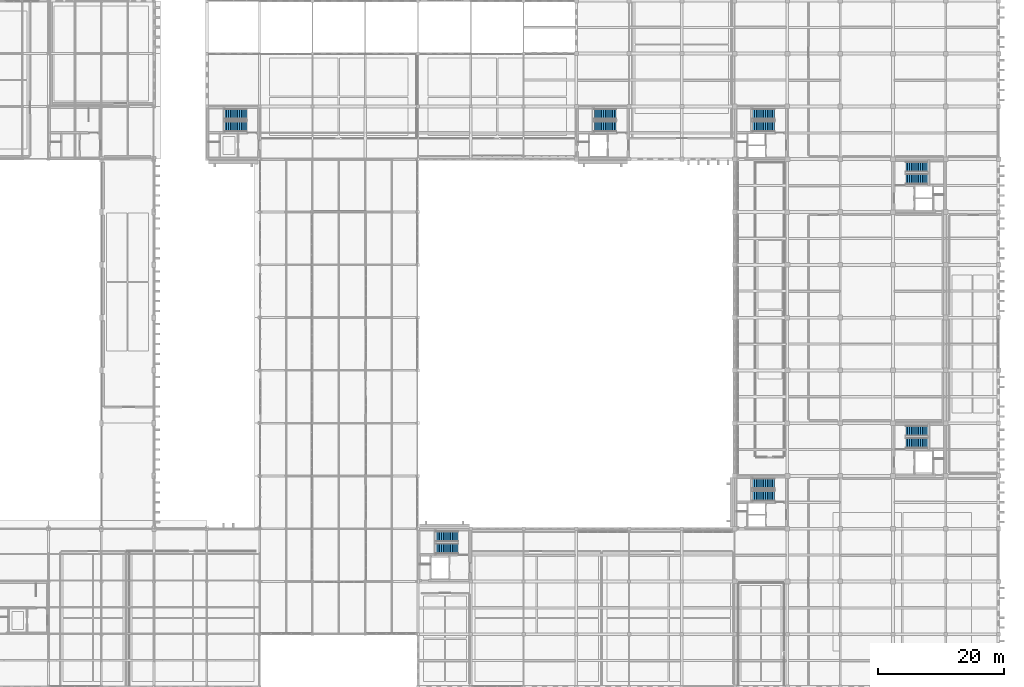
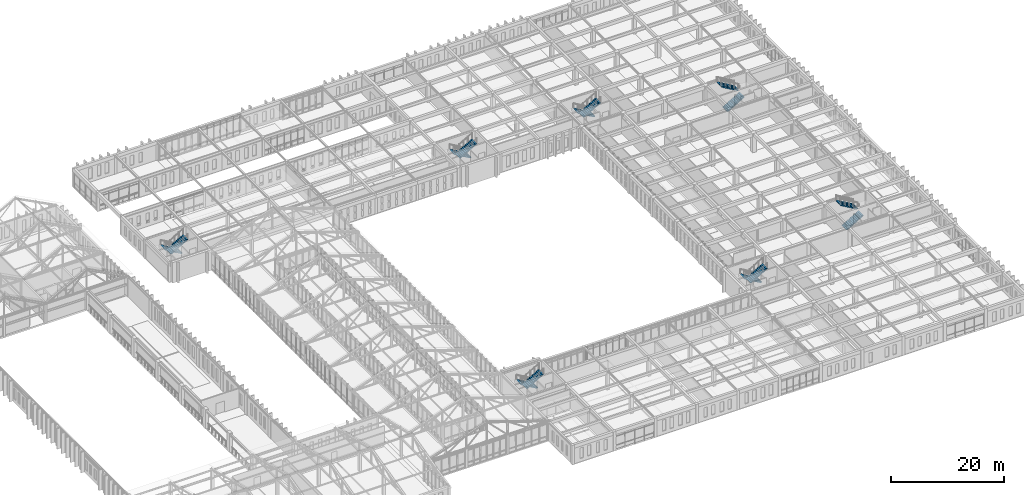
# One storey, part 181 of 192: 14 stair flights, 7 elements without a shape of their own.
"""IFC4 building model written with IfcOpenShell, lengths in metres."""

import ifcopenshell
import ifcopenshell.guid

model = None  # the IFC model being written
_history = None  # IfcOwnerHistory: only IFC2X3 demands one
_inside = {}  # id of a spatial element -> (the spatial element, [elements in it])
_under = {}  # id of a project, library or spatial element -> (it, [spatial elements below it])
_declared = {}  # id of a project -> (the project, [libraries it declares])
_typed = {}  # id of a type object -> (the type object, [elements of that type])
_made_of = {}  # id of a material, layer set ... -> (it, [elements and type objects made of it])


def new_model(schema):
    """Start an empty IFC model of exactly this schema.

    Asked for "IFC4X3", IfcOpenShell would pick the latest addendum, in which some entities
    have other attributes; the version numbers below select the first issue.
    IFC2X3 requires an IfcOwnerHistory on every rooted entity: one is made here for all.
    """
    global model, _history
    if schema == "IFC4X3":
        model = ifcopenshell.file(schema_version=(4, 3, 0, 0))
    else:
        model = ifcopenshell.file(schema=schema)
    _inside.clear()
    _under.clear()
    _declared.clear()
    _typed.clear()
    _made_of.clear()
    _history = None
    if model.schema == "IFC2X3":
        org = make("IfcOrganization", Name="unknown")
        user = make(
            "IfcPersonAndOrganization",
            ThePerson=make("IfcPerson", FamilyName="unknown"),
            TheOrganization=org,
        )
        app = make(
            "IfcApplication",
            ApplicationDeveloper=org,
            Version="unknown",
            ApplicationFullName="unknown",
            ApplicationIdentifier="unknown",
        )
        _history = make(
            "IfcOwnerHistory",
            OwningUser=user,
            OwningApplication=app,
            ChangeAction="ADDED",
            CreationDate=0,
        )
    return model


def make(cls, **values):
    """One entity of the class cls with the attributes given. An attribute that is None is left unset."""
    return model.create_entity(
        cls, **{name: value for name, value in values.items() if value is not None}
    )


def rooted(cls, **values):
    """An entity with a GlobalId (a new one), such as an element, a storey or a relation."""
    return make(cls, GlobalId=ifcopenshell.guid.new(), OwnerHistory=_history, **values)


def si_unit(unit_type, name, prefix=None):
    """IfcSIUnit, for example si_unit("LENGTHUNIT", "METRE", prefix="MILLI")."""
    return make("IfcSIUnit", UnitType=unit_type, Prefix=prefix, Name=name)


def assignment(units):
    """IfcUnitAssignment: the units of a project."""
    return None if units is None else make("IfcUnitAssignment", Units=units)


def point(xyz):
    """IfcCartesianPoint."""
    return None if xyz is None else make("IfcCartesianPoint", Coordinates=xyz)


def direction(xyz):
    """IfcDirection."""
    return None if xyz is None else make("IfcDirection", DirectionRatios=xyz)


def frame(location, z_axis=None, x_axis=None):
    """IfcAxis2Placement3D, a coordinate frame: its origin and axes. An axis left out is left unset."""
    return make(
        "IfcAxis2Placement3D",
        Location=point(location),
        Axis=direction(z_axis),
        RefDirection=direction(x_axis),
    )


def origin():
    """The frame at (0, 0, 0) with its axes left unset."""
    return frame((0.0, 0.0, 0.0))


def place(relative_to, where):
    """IfcLocalPlacement: puts the frame where relative to a parent placement (None: the world)."""
    return make(
        "IfcLocalPlacement", PlacementRelTo=relative_to, RelativePlacement=where
    )


def context(
    kind, dimensions, precision=None, world=None, true_north=None, identifier=None
):
    """IfcGeometricRepresentationContext, for example the 3D "Model" context."""
    return make(
        "IfcGeometricRepresentationContext",
        ContextIdentifier=identifier,
        ContextType=kind,
        CoordinateSpaceDimension=dimensions,
        Precision=precision,
        WorldCoordinateSystem=world,
        TrueNorth=true_north,
    )


def subcontext(parent, identifier, kind, view, scale=None):
    """IfcGeometricRepresentationSubContext, for example "Body" below "Model"."""
    return make(
        "IfcGeometricRepresentationSubContext",
        ContextIdentifier=identifier,
        ContextType=kind,
        ParentContext=parent,
        TargetScale=scale,
        TargetView=view,
    )


def project(units=None, contexts=None):
    """IfcProject with its units and contexts."""
    return rooted(
        "IfcProject",
        Name="project",
        RepresentationContexts=contexts,
        UnitsInContext=assignment(units),
    )


def spatial(cls, under=None, at=None, **own):
    """A site, building, storey or space (cls), placed at a placement, below another one or the project."""
    s = rooted(cls, ObjectPlacement=at, **own)
    if under is not None:
        _under.setdefault(under.id(), (under, []))[1].append(s)
    return s


def polyline(points):
    """IfcPolyline through the points."""
    return make("IfcPolyline", Points=[point(p) for p in points])


def outline(outer, holes=None, kind="AREA"):
    """IfcArbitraryClosedProfileDef: a profile drawn as a closed curve; with holes, ...WithVoids."""
    if holes is None:
        return make("IfcArbitraryClosedProfileDef", ProfileType=kind, OuterCurve=outer)
    return make(
        "IfcArbitraryProfileDefWithVoids",
        ProfileType=kind,
        OuterCurve=outer,
        InnerCurves=holes,
    )


def extrude(swept, where, along, depth):
    """IfcExtrudedAreaSolid: the profile swept, set in the frame where, extruded along a direction by depth."""
    return make(
        "IfcExtrudedAreaSolid",
        SweptArea=swept,
        Position=where,
        ExtrudedDirection=direction(along),
        Depth=depth,
    )


def shape(context_of_items, identifier, shape_type, items):
    """IfcShapeRepresentation: the items that make up one representation, for example the "Body"."""
    return make(
        "IfcShapeRepresentation",
        ContextOfItems=context_of_items,
        RepresentationIdentifier=identifier,
        RepresentationType=shape_type,
        Items=items,
    )


def material(Name=None, Category=None):
    """IfcMaterial."""
    return make("IfcMaterial", Name=Name, Category=Category)


def made_of(thing, what):
    """Note that an element or type object is made of a material, layer set ...; save() writes the relation."""
    if what is not None:
        _made_of.setdefault(what.id(), (what, []))[1].append(thing)
    return thing


def type_object(cls, material=None, **own):
    """A type object (cls), such as IfcWallType, which elements share."""
    return made_of(rooted(cls, **own), material)


def element(
    cls,
    number,
    at=None,
    inside=None,
    cuts=None,
    type_object=None,
    material=None,
    context=None,
    identifier="Body",
    shape_type=None,
    held_by="IfcProductDefinitionShape",
    body=None,
    shapes=None,
    **own,
):
    """One element of the class cls, such as IfcWall. Its Tag is "e" and its number.

    at: its placement. inside: the storey or other place that contains it. cuts: it is an
    opening in that element (IfcRelVoidsElement). A single representation is given by context,
    identifier, shape_type and body (its items); several are given by shapes. held_by: the class
    of the entity that holds the representations. save() writes the other relations.
    """
    e = rooted(cls, Tag="e%d" % number, ObjectPlacement=at, **own)
    if body is not None:
        shapes = [shape(context, identifier, shape_type, body)]
    if shapes is not None:
        e.Representation = make(held_by, Representations=shapes)
    if inside is not None:
        _inside.setdefault(inside.id(), (inside, []))[1].append(e)
    if cuts is not None:
        rooted(
            "IfcRelVoidsElement", RelatingBuildingElement=cuts, RelatedOpeningElement=e
        )
    if type_object is not None:
        _typed.setdefault(type_object.id(), (type_object, []))[1].append(e)
    return made_of(e, material)


def aggregate(whole, parts):
    """IfcRelAggregates: a whole, such as a stair, and the parts it consists of."""
    return rooted("IfcRelAggregates", RelatingObject=whole, RelatedObjects=parts)


def save(model, path):
    """Write the relations noted so far, then the file.

    IfcRelAggregates (storeys below a building ...), IfcRelContainedInSpatialStructure (elements
    in a storey), IfcRelDefinesByType, IfcRelAssociatesMaterial and IfcRelDeclares: one each for
    every whole, place, type object, material and project.
    """
    for whole, parts in _under.values():
        aggregate(whole, parts)
    for where, things in _inside.values():
        rooted(
            "IfcRelContainedInSpatialStructure",
            RelatedElements=things,
            RelatingStructure=where,
        )
    for kind, things in _typed.values():
        rooted("IfcRelDefinesByType", RelatedObjects=things, RelatingType=kind)
    for what, things in _made_of.values():
        rooted("IfcRelAssociatesMaterial", RelatedObjects=things, RelatingMaterial=what)
    for by, libraries in _declared.values():
        rooted("IfcRelDeclares", RelatingContext=by, RelatedDefinitions=libraries)
    model.write(path)


model = new_model("IFC4")

# Units and contexts
model_context = context("Model", 3, precision=1e-05, world=origin(), true_north=direction((0.0, 1.0)))
body_context = subcontext(model_context, "Body", "Model", "MODEL_VIEW")
ifc_project = project(units=[si_unit("LENGTHUNIT", "METRE"), si_unit("AREAUNIT", "SQUARE_METRE"), si_unit("VOLUMEUNIT", "CUBIC_METRE"), si_unit("PLANEANGLEUNIT", "RADIAN"), si_unit("MASSUNIT", "GRAM", prefix="KILO")], contexts=[model_context])

# Site, building, storey
site_placement = place(None, origin())
site = spatial("IfcSite", under=ifc_project, at=site_placement, CompositionType="ELEMENT")
building_placement = place(site_placement, origin())
building = spatial("IfcBuilding", under=site, at=building_placement, Name="Kveldsbrygga Polytechnic", CompositionType="ELEMENT")
storey_placement = place(building_placement, frame((0.0, 0.0, 5.43994140625)))
storey = spatial("IfcBuildingStorey", under=building, at=storey_placement, Name="L01", CompositionType="ELEMENT", Elevation=5.43994140625)

# Stair, stair flights
ifc_material = material(Name="Concrete C35/45", Category="concrete")
stair_type = type_object("IfcStairType", Name="STR-CORE-442", PredefinedType="HALF_TURN_STAIR", material=ifc_material)
stair_1_placement = place(storey_placement, origin())
stair_1 = element("IfcStair", 1, at=stair_1_placement, inside=storey, type_object=stair_type, Name="L01 Core C1 Escape Stair ST-1", PredefinedType="HALF_TURN_STAIR")
stair_flight_type = type_object("IfcStairFlightType", Name="SFL-CORE-13R", PredefinedType="STRAIGHT", material=ifc_material)
stair_flight_1_placement = place(storey_placement, frame((132.35009765625, 32.375, 0.0), z_axis=(0.0, 0.0, 1.0), x_axis=(-1.0, 0.0, 0.0)))
stair_flight_1 = element("IfcStairFlight", 2, at=stair_flight_1_placement, type_object=stair_flight_type, Name="ST-1 flight 1", NumberOfRisers=13, NumberOfTreads=12, PredefinedType="STRAIGHT", RiserHeight=0.17, TreadLength=0.29, context=body_context, shape_type="SweptSolid", body=[
    extrude(outline(polyline([(0.0, 0.0), (0.0, 0.169921875), (0.2900390625, 0.169921875), (0.2900390625, 0.340087890625), (0.580078125, 0.340087890625), (0.580078125, 0.510009765625), (0.8701171875, 0.510009765625), (0.8701171875, 0.679931640625), (1.159912109375, 0.679931640625), (1.159912109375, 0.85009765625), (1.449951171875, 0.85009765625), (1.449951171875, 1.02001953125), (1.739990234375, 1.02001953125), (1.739990234375, 1.18994140625), (2.030029296875, 1.18994140625), (2.030029296875, 1.360107421875), (2.320068359375, 1.360107421875), (2.320068359375, 1.530029296875), (2.610107421875, 1.530029296875), (2.610107421875, 1.699951171875), (2.89990234375, 1.699951171875), (2.89990234375, 1.8701171875), (3.18994140625, 1.8701171875), (3.18994140625, 2.0400390625), (3.47998046875, 2.0400390625), (3.47998046875, 2.2099609375), (3.47998046875, 1.854736328125), (0.316162109375, 0.0), (0.0, 0.0)])), frame((0.0, 0.824951171875, 0.0), z_axis=(0.0, -1.0, 0.0), x_axis=(1.0, 0.0, 0.0)), (0.0, 0.0, 1.0), 1.64990234375),
])
stair_flight_2_placement = place(storey_placement, frame((128.8701171875, 30.425048828125, 2.2099609375), z_axis=(0.0, 0.0, 1.0), x_axis=(1.0, 0.0, 0.0)))
stair_flight_2 = element("IfcStairFlight", 3, at=stair_flight_2_placement, type_object=stair_flight_type, Name="ST-1 flight 2", NumberOfRisers=13, NumberOfTreads=12, PredefinedType="STRAIGHT", RiserHeight=0.17, TreadLength=0.29, context=body_context, shape_type="SweptSolid", body=[
    extrude(outline(polyline([(0.0, 0.0), (0.0, 0.169921875), (0.2900390625, 0.169921875), (0.2900390625, 0.340087890625), (0.580078125, 0.340087890625), (0.580078125, 0.510009765625), (0.8701171875, 0.510009765625), (0.8701171875, 0.679931640625), (1.159912109375, 0.679931640625), (1.159912109375, 0.85009765625), (1.449951171875, 0.85009765625), (1.449951171875, 1.02001953125), (1.739990234375, 1.02001953125), (1.739990234375, 1.18994140625), (2.030029296875, 1.18994140625), (2.030029296875, 1.360107421875), (2.320068359375, 1.360107421875), (2.320068359375, 1.530029296875), (2.610107421875, 1.530029296875), (2.610107421875, 1.699951171875), (2.89990234375, 1.699951171875), (2.89990234375, 1.8701171875), (3.18994140625, 1.8701171875), (3.18994140625, 2.0400390625), (3.47998046875, 2.0400390625), (3.47998046875, 2.2099609375), (3.47998046875, 1.854736328125), (0.316162109375, 0.0), (0.0, 0.0)])), frame((0.0, 0.824951171875, 0.0), z_axis=(0.0, -1.0, 0.0), x_axis=(1.0, 0.0, 0.0)), (0.0, 0.0, 1.0), 1.64990234375),
])
aggregate(stair_1, [stair_flight_1, stair_flight_2])

stair_2_placement = place(storey_placement, origin())
stair_2 = element("IfcStair", 4, at=stair_2_placement, inside=storey, type_object=stair_type, Name="L01 Core C2 Escape Stair ST-2", PredefinedType="HALF_TURN_STAIR")
stair_flight_3_placement = place(storey_placement, frame((132.35009765625, 91.175048828125, 0.0), z_axis=(0.0, 0.0, 1.0), x_axis=(-1.0, 0.0, 0.0)))
stair_flight_3 = element("IfcStairFlight", 5, at=stair_flight_3_placement, type_object=stair_flight_type, Name="ST-2 flight 1", NumberOfRisers=13, NumberOfTreads=12, PredefinedType="STRAIGHT", RiserHeight=0.17, TreadLength=0.29, context=body_context, shape_type="SweptSolid", body=[
    extrude(outline(polyline([(0.0, 0.0), (0.0, 0.169921875), (0.2900390625, 0.169921875), (0.2900390625, 0.340087890625), (0.580078125, 0.340087890625), (0.580078125, 0.510009765625), (0.8701171875, 0.510009765625), (0.8701171875, 0.679931640625), (1.159912109375, 0.679931640625), (1.159912109375, 0.85009765625), (1.449951171875, 0.85009765625), (1.449951171875, 1.02001953125), (1.739990234375, 1.02001953125), (1.739990234375, 1.18994140625), (2.030029296875, 1.18994140625), (2.030029296875, 1.360107421875), (2.320068359375, 1.360107421875), (2.320068359375, 1.530029296875), (2.610107421875, 1.530029296875), (2.610107421875, 1.699951171875), (2.89990234375, 1.699951171875), (2.89990234375, 1.8701171875), (3.18994140625, 1.8701171875), (3.18994140625, 2.0400390625), (3.47998046875, 2.0400390625), (3.47998046875, 2.2099609375), (3.47998046875, 1.854736328125), (0.316162109375, 0.0), (0.0, 0.0)])), frame((0.0, 0.824951171875, 0.0), z_axis=(0.0, -1.0, 0.0), x_axis=(1.0, 0.0, 0.0)), (0.0, 0.0, 1.0), 1.64990234375),
])
stair_flight_4_placement = place(storey_placement, frame((128.8701171875, 89.22509765625, 2.2099609375), z_axis=(0.0, 0.0, 1.0), x_axis=(1.0, 0.0, 0.0)))
stair_flight_4 = element("IfcStairFlight", 6, at=stair_flight_4_placement, type_object=stair_flight_type, Name="ST-2 flight 2", NumberOfRisers=13, NumberOfTreads=12, PredefinedType="STRAIGHT", RiserHeight=0.17, TreadLength=0.29, context=body_context, shape_type="SweptSolid", body=[
    extrude(outline(polyline([(0.0, 0.0), (0.0, 0.169921875), (0.2900390625, 0.169921875), (0.2900390625, 0.340087890625), (0.580078125, 0.340087890625), (0.580078125, 0.510009765625), (0.8701171875, 0.510009765625), (0.8701171875, 0.679931640625), (1.159912109375, 0.679931640625), (1.159912109375, 0.85009765625), (1.449951171875, 0.85009765625), (1.449951171875, 1.02001953125), (1.739990234375, 1.02001953125), (1.739990234375, 1.18994140625), (2.030029296875, 1.18994140625), (2.030029296875, 1.360107421875), (2.320068359375, 1.360107421875), (2.320068359375, 1.530029296875), (2.610107421875, 1.530029296875), (2.610107421875, 1.699951171875), (2.89990234375, 1.699951171875), (2.89990234375, 1.8701171875), (3.18994140625, 1.8701171875), (3.18994140625, 2.0400390625), (3.47998046875, 2.0400390625), (3.47998046875, 2.2099609375), (3.47998046875, 1.854736328125), (0.316162109375, 0.0), (0.0, 0.0)])), frame((0.0, 0.824951171875, 0.0), z_axis=(0.0, -1.0, 0.0), x_axis=(1.0, 0.0, 0.0)), (0.0, 0.0, 1.0), 1.64990234375),
])
aggregate(stair_2, [stair_flight_3, stair_flight_4])

stair_3_placement = place(storey_placement, origin())
stair_3 = element("IfcStair", 7, at=stair_3_placement, inside=storey, type_object=stair_type, Name="L01 Core C3 Escape Stair ST-3", PredefinedType="HALF_TURN_STAIR")
stair_flight_5_placement = place(storey_placement, frame((153.25, 38.824951171875, 0.0), z_axis=(0.0, 0.0, 1.0), x_axis=(1.0, 0.0, 0.0)))
stair_flight_5 = element("IfcStairFlight", 8, at=stair_flight_5_placement, type_object=stair_flight_type, Name="ST-3 flight 1", NumberOfRisers=13, NumberOfTreads=12, PredefinedType="STRAIGHT", RiserHeight=0.17, TreadLength=0.29, context=body_context, shape_type="SweptSolid", body=[
    extrude(outline(polyline([(0.0, 0.0), (0.0, 0.169921875), (0.2900390625, 0.169921875), (0.2900390625, 0.340087890625), (0.580078125, 0.340087890625), (0.580078125, 0.510009765625), (0.8701171875, 0.510009765625), (0.8701171875, 0.679931640625), (1.159912109375, 0.679931640625), (1.159912109375, 0.85009765625), (1.449951171875, 0.85009765625), (1.449951171875, 1.02001953125), (1.739990234375, 1.02001953125), (1.739990234375, 1.18994140625), (2.030029296875, 1.18994140625), (2.030029296875, 1.360107421875), (2.320068359375, 1.360107421875), (2.320068359375, 1.530029296875), (2.610107421875, 1.530029296875), (2.610107421875, 1.699951171875), (2.89990234375, 1.699951171875), (2.89990234375, 1.8701171875), (3.18994140625, 1.8701171875), (3.18994140625, 2.0400390625), (3.47998046875, 2.0400390625), (3.47998046875, 2.2099609375), (3.47998046875, 1.854736328125), (0.316162109375, 0.0), (0.0, 0.0)])), frame((0.0, 0.824951171875, 0.0), z_axis=(0.0, -1.0, 0.0), x_axis=(1.0, 0.0, 0.0)), (0.0, 0.0, 1.0), 1.64990234375),
])
stair_flight_6_placement = place(storey_placement, frame((156.72998046875, 40.77490234375, 2.2099609375), z_axis=(0.0, 0.0, 1.0), x_axis=(-1.0, 0.0, 0.0)))
stair_flight_6 = element("IfcStairFlight", 9, at=stair_flight_6_placement, type_object=stair_flight_type, Name="ST-3 flight 2", NumberOfRisers=13, NumberOfTreads=12, PredefinedType="STRAIGHT", RiserHeight=0.17, TreadLength=0.29, context=body_context, shape_type="SweptSolid", body=[
    extrude(outline(polyline([(0.0, 0.0), (0.0, 0.169921875), (0.2900390625, 0.169921875), (0.2900390625, 0.340087890625), (0.580078125, 0.340087890625), (0.580078125, 0.510009765625), (0.8701171875, 0.510009765625), (0.8701171875, 0.679931640625), (1.159912109375, 0.679931640625), (1.159912109375, 0.85009765625), (1.449951171875, 0.85009765625), (1.449951171875, 1.02001953125), (1.739990234375, 1.02001953125), (1.739990234375, 1.18994140625), (2.030029296875, 1.18994140625), (2.030029296875, 1.360107421875), (2.320068359375, 1.360107421875), (2.320068359375, 1.530029296875), (2.610107421875, 1.530029296875), (2.610107421875, 1.699951171875), (2.89990234375, 1.699951171875), (2.89990234375, 1.8701171875), (3.18994140625, 1.8701171875), (3.18994140625, 2.0400390625), (3.47998046875, 2.0400390625), (3.47998046875, 2.2099609375), (3.47998046875, 1.854736328125), (0.316162109375, 0.0), (0.0, 0.0)])), frame((0.0, 0.824951171875, 0.0), z_axis=(0.0, -1.0, 0.0), x_axis=(1.0, 0.0, 0.0)), (0.0, 0.0, 1.0), 1.64990234375),
])
aggregate(stair_3, [stair_flight_5, stair_flight_6])

stair_4_placement = place(storey_placement, origin())
stair_4 = element("IfcStair", 10, at=stair_4_placement, inside=storey, type_object=stair_type, Name="L01 Core C4 Escape Stair ST-4", PredefinedType="HALF_TURN_STAIR")
stair_flight_7_placement = place(storey_placement, frame((153.25, 80.824951171875, 0.0), z_axis=(0.0, 0.0, 1.0), x_axis=(1.0, 0.0, 0.0)))
stair_flight_7 = element("IfcStairFlight", 11, at=stair_flight_7_placement, type_object=stair_flight_type, Name="ST-4 flight 1", NumberOfRisers=13, NumberOfTreads=12, PredefinedType="STRAIGHT", RiserHeight=0.17, TreadLength=0.29, context=body_context, shape_type="SweptSolid", body=[
    extrude(outline(polyline([(0.0, 0.0), (0.0, 0.169921875), (0.2900390625, 0.169921875), (0.2900390625, 0.340087890625), (0.580078125, 0.340087890625), (0.580078125, 0.510009765625), (0.8701171875, 0.510009765625), (0.8701171875, 0.679931640625), (1.159912109375, 0.679931640625), (1.159912109375, 0.85009765625), (1.449951171875, 0.85009765625), (1.449951171875, 1.02001953125), (1.739990234375, 1.02001953125), (1.739990234375, 1.18994140625), (2.030029296875, 1.18994140625), (2.030029296875, 1.360107421875), (2.320068359375, 1.360107421875), (2.320068359375, 1.530029296875), (2.610107421875, 1.530029296875), (2.610107421875, 1.699951171875), (2.89990234375, 1.699951171875), (2.89990234375, 1.8701171875), (3.18994140625, 1.8701171875), (3.18994140625, 2.0400390625), (3.47998046875, 2.0400390625), (3.47998046875, 2.2099609375), (3.47998046875, 1.854736328125), (0.316162109375, 0.0), (0.0, 0.0)])), frame((0.0, 0.824951171875, 0.0), z_axis=(0.0, -1.0, 0.0), x_axis=(1.0, 0.0, 0.0)), (0.0, 0.0, 1.0), 1.64990234375),
])
stair_flight_8_placement = place(storey_placement, frame((156.72998046875, 82.77490234375, 2.2099609375), z_axis=(0.0, 0.0, 1.0), x_axis=(-1.0, 0.0, 0.0)))
stair_flight_8 = element("IfcStairFlight", 12, at=stair_flight_8_placement, type_object=stair_flight_type, Name="ST-4 flight 2", NumberOfRisers=13, NumberOfTreads=12, PredefinedType="STRAIGHT", RiserHeight=0.17, TreadLength=0.29, context=body_context, shape_type="SweptSolid", body=[
    extrude(outline(polyline([(0.0, 0.0), (0.0, 0.169921875), (0.2900390625, 0.169921875), (0.2900390625, 0.340087890625), (0.580078125, 0.340087890625), (0.580078125, 0.510009765625), (0.8701171875, 0.510009765625), (0.8701171875, 0.679931640625), (1.159912109375, 0.679931640625), (1.159912109375, 0.85009765625), (1.449951171875, 0.85009765625), (1.449951171875, 1.02001953125), (1.739990234375, 1.02001953125), (1.739990234375, 1.18994140625), (2.030029296875, 1.18994140625), (2.030029296875, 1.360107421875), (2.320068359375, 1.360107421875), (2.320068359375, 1.530029296875), (2.610107421875, 1.530029296875), (2.610107421875, 1.699951171875), (2.89990234375, 1.699951171875), (2.89990234375, 1.8701171875), (3.18994140625, 1.8701171875), (3.18994140625, 2.0400390625), (3.47998046875, 2.0400390625), (3.47998046875, 2.2099609375), (3.47998046875, 1.854736328125), (0.316162109375, 0.0), (0.0, 0.0)])), frame((0.0, 0.824951171875, 0.0), z_axis=(0.0, -1.0, 0.0), x_axis=(1.0, 0.0, 0.0)), (0.0, 0.0, 1.0), 1.64990234375),
])
aggregate(stair_4, [stair_flight_7, stair_flight_8])

stair_5_placement = place(storey_placement, origin())
stair_5 = element("IfcStair", 13, at=stair_5_placement, inside=storey, type_object=stair_type, Name="L01 Core C5 Escape Stair ST-5", PredefinedType="HALF_TURN_STAIR")
stair_flight_9_placement = place(storey_placement, frame((107.14990234375, 91.175048828125, 0.0), z_axis=(0.0, 0.0, 1.0), x_axis=(-1.0, 0.0, 0.0)))
stair_flight_9 = element("IfcStairFlight", 14, at=stair_flight_9_placement, type_object=stair_flight_type, Name="ST-5 flight 1", NumberOfRisers=13, NumberOfTreads=12, PredefinedType="STRAIGHT", RiserHeight=0.17, TreadLength=0.29, context=body_context, shape_type="SweptSolid", body=[
    extrude(outline(polyline([(0.0, 0.0), (0.0, 0.169921875), (0.2900390625, 0.169921875), (0.2900390625, 0.340087890625), (0.580078125, 0.340087890625), (0.580078125, 0.510009765625), (0.8701171875, 0.510009765625), (0.8701171875, 0.679931640625), (1.159912109375, 0.679931640625), (1.159912109375, 0.85009765625), (1.449951171875, 0.85009765625), (1.449951171875, 1.02001953125), (1.739990234375, 1.02001953125), (1.739990234375, 1.18994140625), (2.030029296875, 1.18994140625), (2.030029296875, 1.360107421875), (2.320068359375, 1.360107421875), (2.320068359375, 1.530029296875), (2.610107421875, 1.530029296875), (2.610107421875, 1.699951171875), (2.89990234375, 1.699951171875), (2.89990234375, 1.8701171875), (3.18994140625, 1.8701171875), (3.18994140625, 2.0400390625), (3.47998046875, 2.0400390625), (3.47998046875, 2.2099609375), (3.47998046875, 1.854736328125), (0.316162109375, 0.0), (0.0, 0.0)])), frame((0.0, 0.824951171875, 0.0), z_axis=(0.0, -1.0, 0.0), x_axis=(1.0, 0.0, 0.0)), (0.0, 0.0, 1.0), 1.64990234375),
])
stair_flight_10_placement = place(storey_placement, frame((103.669921875, 89.22509765625, 2.2099609375), z_axis=(0.0, 0.0, 1.0), x_axis=(1.0, 0.0, 0.0)))
stair_flight_10 = element("IfcStairFlight", 15, at=stair_flight_10_placement, type_object=stair_flight_type, Name="ST-5 flight 2", NumberOfRisers=13, NumberOfTreads=12, PredefinedType="STRAIGHT", RiserHeight=0.17, TreadLength=0.29, context=body_context, shape_type="SweptSolid", body=[
    extrude(outline(polyline([(0.0, 0.0), (0.0, 0.169921875), (0.2900390625, 0.169921875), (0.2900390625, 0.340087890625), (0.580078125, 0.340087890625), (0.580078125, 0.510009765625), (0.8701171875, 0.510009765625), (0.8701171875, 0.679931640625), (1.159912109375, 0.679931640625), (1.159912109375, 0.85009765625), (1.449951171875, 0.85009765625), (1.449951171875, 1.02001953125), (1.739990234375, 1.02001953125), (1.739990234375, 1.18994140625), (2.030029296875, 1.18994140625), (2.030029296875, 1.360107421875), (2.320068359375, 1.360107421875), (2.320068359375, 1.530029296875), (2.610107421875, 1.530029296875), (2.610107421875, 1.699951171875), (2.89990234375, 1.699951171875), (2.89990234375, 1.8701171875), (3.18994140625, 1.8701171875), (3.18994140625, 2.0400390625), (3.47998046875, 2.0400390625), (3.47998046875, 2.2099609375), (3.47998046875, 1.854736328125), (0.316162109375, 0.0), (0.0, 0.0)])), frame((0.0, 0.824951171875, 0.0), z_axis=(0.0, -1.0, 0.0), x_axis=(1.0, 0.0, 0.0)), (0.0, 0.0, 1.0), 1.64990234375),
])
aggregate(stair_5, [stair_flight_9, stair_flight_10])

stair_6_placement = place(storey_placement, origin())
stair_6 = element("IfcStair", 16, at=stair_6_placement, inside=storey, type_object=stair_type, Name="L01 Core C6 Escape Stair ST-6", PredefinedType="HALF_TURN_STAIR")
stair_flight_11_placement = place(storey_placement, frame((81.949951171875, 23.97509765625, 0.0), z_axis=(0.0, 0.0, 1.0), x_axis=(-1.0, 0.0, 0.0)))
stair_flight_11 = element("IfcStairFlight", 17, at=stair_flight_11_placement, type_object=stair_flight_type, Name="ST-6 flight 1", NumberOfRisers=13, NumberOfTreads=12, PredefinedType="STRAIGHT", RiserHeight=0.17, TreadLength=0.29, context=body_context, shape_type="SweptSolid", body=[
    extrude(outline(polyline([(0.0, 0.0), (0.0, 0.169921875), (0.2900390625, 0.169921875), (0.2900390625, 0.340087890625), (0.580078125, 0.340087890625), (0.580078125, 0.510009765625), (0.8701171875, 0.510009765625), (0.8701171875, 0.679931640625), (1.159912109375, 0.679931640625), (1.159912109375, 0.85009765625), (1.449951171875, 0.85009765625), (1.449951171875, 1.02001953125), (1.739990234375, 1.02001953125), (1.739990234375, 1.18994140625), (2.030029296875, 1.18994140625), (2.030029296875, 1.360107421875), (2.320068359375, 1.360107421875), (2.320068359375, 1.530029296875), (2.610107421875, 1.530029296875), (2.610107421875, 1.699951171875), (2.89990234375, 1.699951171875), (2.89990234375, 1.8701171875), (3.18994140625, 1.8701171875), (3.18994140625, 2.0400390625), (3.47998046875, 2.0400390625), (3.47998046875, 2.2099609375), (3.47998046875, 1.854736328125), (0.316162109375, 0.0), (0.0, 0.0)])), frame((0.0, 0.824951171875, 0.0), z_axis=(0.0, -1.0, 0.0), x_axis=(1.0, 0.0, 0.0)), (0.0, 0.0, 1.0), 1.64990234375),
])
stair_flight_12_placement = place(storey_placement, frame((78.469970703125, 22.02490234375, 2.2099609375), z_axis=(0.0, 0.0, 1.0), x_axis=(1.0, 0.0, 0.0)))
stair_flight_12 = element("IfcStairFlight", 18, at=stair_flight_12_placement, type_object=stair_flight_type, Name="ST-6 flight 2", NumberOfRisers=13, NumberOfTreads=12, PredefinedType="STRAIGHT", RiserHeight=0.17, TreadLength=0.29, context=body_context, shape_type="SweptSolid", body=[
    extrude(outline(polyline([(0.0, 0.0), (0.0, 0.169921875), (0.2900390625, 0.169921875), (0.2900390625, 0.340087890625), (0.580078125, 0.340087890625), (0.580078125, 0.510009765625), (0.8701171875, 0.510009765625), (0.8701171875, 0.679931640625), (1.159912109375, 0.679931640625), (1.159912109375, 0.85009765625), (1.449951171875, 0.85009765625), (1.449951171875, 1.02001953125), (1.739990234375, 1.02001953125), (1.739990234375, 1.18994140625), (2.030029296875, 1.18994140625), (2.030029296875, 1.360107421875), (2.320068359375, 1.360107421875), (2.320068359375, 1.530029296875), (2.610107421875, 1.530029296875), (2.610107421875, 1.699951171875), (2.89990234375, 1.699951171875), (2.89990234375, 1.8701171875), (3.18994140625, 1.8701171875), (3.18994140625, 2.0400390625), (3.47998046875, 2.0400390625), (3.47998046875, 2.2099609375), (3.47998046875, 1.854736328125), (0.316162109375, 0.0), (0.0, 0.0)])), frame((0.0, 0.824951171875, 0.0), z_axis=(0.0, -1.0, 0.0), x_axis=(1.0, 0.0, 0.0)), (0.0, 0.0, 1.0), 1.64990234375),
])
aggregate(stair_6, [stair_flight_11, stair_flight_12])

stair_7_placement = place(storey_placement, origin())
stair_7 = element("IfcStair", 19, at=stair_7_placement, inside=storey, type_object=stair_type, Name="L01 Core C7 Escape Stair ST-7", PredefinedType="HALF_TURN_STAIR")
stair_flight_13_placement = place(storey_placement, frame((48.35009765625, 91.175048828125, 0.0), z_axis=(0.0, 0.0, 1.0), x_axis=(-1.0, 0.0, 0.0)))
stair_flight_13 = element("IfcStairFlight", 20, at=stair_flight_13_placement, type_object=stair_flight_type, Name="ST-7 flight 1", NumberOfRisers=13, NumberOfTreads=12, PredefinedType="STRAIGHT", RiserHeight=0.17, TreadLength=0.29, context=body_context, shape_type="SweptSolid", body=[
    extrude(outline(polyline([(0.0, 0.0), (0.0, 0.169921875), (0.2900390625, 0.169921875), (0.2900390625, 0.340087890625), (0.580078125, 0.340087890625), (0.580078125, 0.510009765625), (0.8701171875, 0.510009765625), (0.8701171875, 0.679931640625), (1.159912109375, 0.679931640625), (1.159912109375, 0.85009765625), (1.449951171875, 0.85009765625), (1.449951171875, 1.02001953125), (1.739990234375, 1.02001953125), (1.739990234375, 1.18994140625), (2.030029296875, 1.18994140625), (2.030029296875, 1.360107421875), (2.320068359375, 1.360107421875), (2.320068359375, 1.530029296875), (2.610107421875, 1.530029296875), (2.610107421875, 1.699951171875), (2.89990234375, 1.699951171875), (2.89990234375, 1.8701171875), (3.18994140625, 1.8701171875), (3.18994140625, 2.0400390625), (3.47998046875, 2.0400390625), (3.47998046875, 2.2099609375), (3.47998046875, 1.854736328125), (0.316162109375, 0.0), (0.0, 0.0)])), frame((0.0, 0.824951171875, 0.0), z_axis=(0.0, -1.0, 0.0), x_axis=(1.0, 0.0, 0.0)), (0.0, 0.0, 1.0), 1.64990234375),
])
stair_flight_14_placement = place(storey_placement, frame((44.8701171875, 89.22509765625, 2.2099609375), z_axis=(0.0, 0.0, 1.0), x_axis=(1.0, 0.0, 0.0)))
stair_flight_14 = element("IfcStairFlight", 21, at=stair_flight_14_placement, type_object=stair_flight_type, Name="ST-7 flight 2", NumberOfRisers=13, NumberOfTreads=12, PredefinedType="STRAIGHT", RiserHeight=0.17, TreadLength=0.29, context=body_context, shape_type="SweptSolid", body=[
    extrude(outline(polyline([(0.0, 0.0), (0.0, 0.169921875), (0.2900390625, 0.169921875), (0.2900390625, 0.340087890625), (0.580078125, 0.340087890625), (0.580078125, 0.510009765625), (0.8701171875, 0.510009765625), (0.8701171875, 0.679931640625), (1.159912109375, 0.679931640625), (1.159912109375, 0.85009765625), (1.449951171875, 0.85009765625), (1.449951171875, 1.02001953125), (1.739990234375, 1.02001953125), (1.739990234375, 1.18994140625), (2.030029296875, 1.18994140625), (2.030029296875, 1.360107421875), (2.320068359375, 1.360107421875), (2.320068359375, 1.530029296875), (2.610107421875, 1.530029296875), (2.610107421875, 1.699951171875), (2.89990234375, 1.699951171875), (2.89990234375, 1.8701171875), (3.18994140625, 1.8701171875), (3.18994140625, 2.0400390625), (3.47998046875, 2.0400390625), (3.47998046875, 2.2099609375), (3.47998046875, 1.854736328125), (0.316162109375, 0.0), (0.0, 0.0)])), frame((0.0, 0.824951171875, 0.0), z_axis=(0.0, -1.0, 0.0), x_axis=(1.0, 0.0, 0.0)), (0.0, 0.0, 1.0), 1.64990234375),
])
aggregate(stair_7, [stair_flight_13, stair_flight_14])

save(model, "model.ifc")
